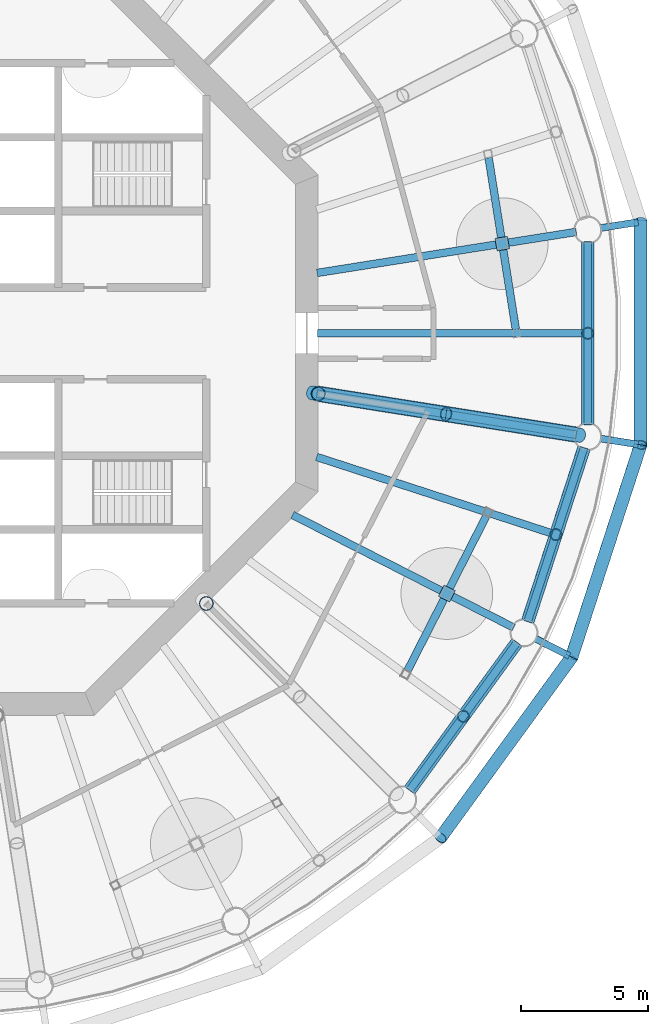
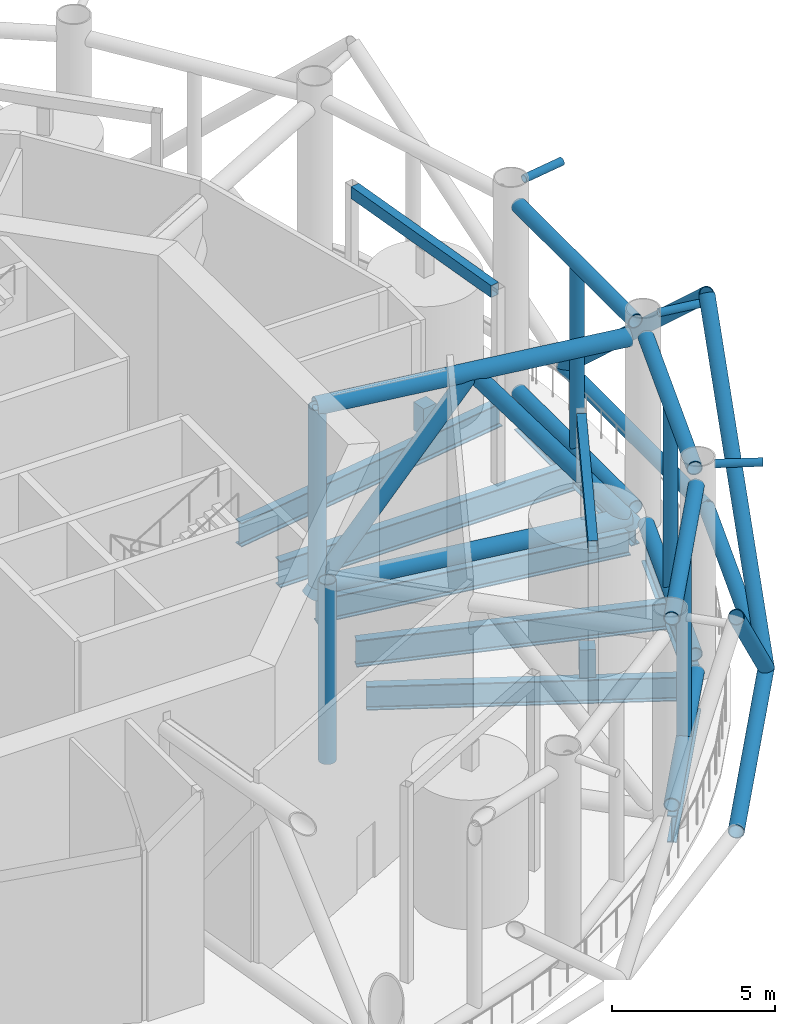
# One storey, part 8 of 22: 26 members, 10 beams.
"""IFC4 building model written with IfcOpenShell, lengths in metres."""

from ifc_helpers import new_model, si_unit, direction, frame, origin, origin_2d, place, context, subcontext, project, spatial, rectangle, hollow_rectangle, circle, hollow_circle, i_section, extrude, material, material_profile, profile_set, type_object, element, save


model = new_model("IFC4")

# Units and contexts
model_context = context("Model", 3, precision=1e-05, world=origin(), true_north=direction((0.0, 1.0)))
body_context = subcontext(model_context, "Body", "Model", "MODEL_VIEW")
ifc_project = project(units=[si_unit("LENGTHUNIT", "METRE"), si_unit("AREAUNIT", "SQUARE_METRE"), si_unit("VOLUMEUNIT", "CUBIC_METRE"), si_unit("PLANEANGLEUNIT", "RADIAN"), si_unit("MASSUNIT", "GRAM", prefix="KILO")], contexts=[model_context])

# Site, building, storey
site_placement = place(None, origin())
site = spatial("IfcSite", under=ifc_project, at=site_placement, CompositionType="ELEMENT")
building_placement = place(site_placement, origin())
building = spatial("IfcBuilding", under=site, at=building_placement, Name="Entoto Ring Tower", CompositionType="ELEMENT")
storey_placement = place(building_placement, frame((0.0, 0.0, 230.0)))
storey = spatial("IfcBuildingStorey", under=building, at=storey_placement, Name="L53", CompositionType="ELEMENT", Elevation=230.0)

# Members
ifc_material_1 = material(Name="Steel S355", Category="steel")
ifc_material_profile_1 = material_profile(ifc_material_1, hollow_circle(Radius=0.25390625, WallThickness=0.02490234375, at=origin_2d()), Name="CHS 508 x 25")
ifc_material_2 = material(Name="Concrete C60/75", Category="concrete")
ifc_material_profile_2 = material_profile(ifc_material_2, circle(Radius=0.22900390625, at=origin_2d()), Name="Concrete C60/75 infill")
ifc_profile_set_1 = profile_set([ifc_material_profile_1, ifc_material_profile_2], Name="Steel S355")
member_type_1 = type_object("IfcMemberType", Name="Diagrid diagonal 508 x 25 concrete-filled tube", PredefinedType="BRACE", material=ifc_profile_set_1)
for number, where, z_axis, x_axis, name in (
    (1, (117.6552734375, 84.380126953125, 0.0), (0.0, -0.738422225603, 0.674338651373), (1.0, 0.0, 0.0), "DG5 module 17 01"),
    (2, (114.9482421875, 67.288330078125, 0.0), (-0.434030642959, -0.597406930213, 0.674331046821), (0.809024012567, -0.587775592458, 0.0), "DG5 module 17 19"),
    (3, (114.9482421875, 67.288330078125, 0.0), (0.228181506805, 0.702283739289, 0.674337266865), (-0.95105823263, 0.309011711991, 0.0), "DG5 module 17 20"),
):
    element("IfcMember", number, at=place(storey_placement, frame(where, z_axis=z_axis, x_axis=x_axis)), inside=storey, type_object=member_type_1, Name=name, PredefinedType="BRACE", context=body_context, shape_type="SweptSolid", body=[
        extrude(hollow_circle(Radius=0.25390625, WallThickness=0.02490234375, at=origin_2d()), origin(), (0.0, 0.0, 1.0), 11.863525390625),
    ])
ifc_material_3 = material(Name="Steel S355", Category="steel")
ifc_material_profile_3 = material_profile(ifc_material_3, hollow_circle(Radius=0.136474609375, WallThickness=0.012451171875, at=origin_2d()), Name="CHS 273 x 12.5")
ifc_material_4 = material(Name="Concrete C60/75", Category="concrete")
ifc_material_profile_4 = material_profile(ifc_material_4, circle(Radius=0.1240234375, at=origin_2d()), Name="Concrete C60/75 infill")
ifc_profile_set_2 = profile_set([ifc_material_profile_3, ifc_material_profile_4], Name="Steel S355")
member_type_2 = type_object("IfcMemberType", Name="Diagrid node strut 273 x 12.5", PredefinedType="STRUT", material=ifc_profile_set_2)
member_1_placement = place(storey_placement, frame((113.533935546875, 68.0087890625, 7.71337890625), z_axis=(0.891053276869, -0.453898730756, 0.0), x_axis=(0.453898730756, 0.891053276869, 0.0)))
element("IfcMember", 4, at=member_1_placement, inside=storey, type_object=member_type_2, Name="DS2 strut ring 17 18", PredefinedType="STRUT", context=body_context, shape_type="SweptSolid", body=[
    extrude(hollow_circle(Radius=0.136474609375, WallThickness=0.012451171875, at=origin_2d()), origin(), (0.0, 0.0, 1.0), 1.4873046875),
])
for number, where, z_axis, x_axis, name in (
    (5, (116.087646484375, 75.8681640625, 7.71337890625), (0.987684301722, -0.156459963354, 0.0), (0.156459963354, 0.987684301722, 0.0), "DS2 strut ring 17 19"),
    (6, (116.087646484375, 84.1318359375, 7.71337890625), (0.987684301722, 0.156459963354, 0.0), (-0.156459963354, 0.987684301722, 0.0), "DS2 strut ring 17 20"),
):
    element("IfcMember", number, at=place(storey_placement, frame(where, z_axis=z_axis, x_axis=x_axis)), inside=storey, type_object=member_type_2, Name=name, PredefinedType="STRUT", context=body_context, shape_type="SweptSolid", body=[
        extrude(hollow_circle(Radius=0.136474609375, WallThickness=0.012451171875, at=origin_2d()), origin(), (0.0, 0.0, 1.0), 1.487060546875),
    ])
ifc_material_5 = material(Name="Steel S355", Category="steel")
ifc_material_profile_5 = material_profile(ifc_material_5, hollow_circle(Radius=0.25390625, WallThickness=0.030029296875, at=origin_2d()), Name="CHS 508 x 30")
ifc_material_6 = material(Name="Concrete C60/75", Category="concrete")
ifc_material_profile_6 = material_profile(ifc_material_6, circle(Radius=0.22412109375, at=origin_2d()), Name="Concrete C60/75 infill")
ifc_profile_set_3 = profile_set([ifc_material_profile_5, ifc_material_profile_6], Name="Steel S355")
member_type_3 = type_object("IfcMemberType", Name="Diagrid ring beam 508 x 30", PredefinedType="CHORD", material=ifc_profile_set_3)
for number, where, z_axis, x_axis, name in (
    (7, (109.763671875, 60.15234375, 0.0), (0.587790766961, 0.809012987705, 0.0), (-0.809012987705, 0.587790766961, 0.0), "DR2 ring 16 18"),
    (8, (114.9296875, 67.23095703125, 0.0), (0.309002151976, 0.951061338755, 0.0), (-0.951061338755, 0.309002151976, 0.0), "DR2 ring 16 19"),
):
    element("IfcMember", number, at=place(storey_placement, frame(where, z_axis=z_axis, x_axis=x_axis)), inside=storey, type_object=member_type_3, Name=name, PredefinedType="CHORD", context=body_context, shape_type="SweptSolid", body=[
        extrude(hollow_circle(Radius=0.25390625, WallThickness=0.030029296875, at=origin_2d()), origin(), (0.0, 0.0, 1.0), 8.880615234375),
    ])
member_2_placement = place(storey_placement, frame((117.6552734375, 75.5595703125, 0.0), z_axis=(0.0, 1.0, 0.0), x_axis=(-1.0, 0.0, 0.0)))
element("IfcMember", 9, at=member_2_placement, inside=storey, type_object=member_type_3, Name="DR2 ring 16 20", PredefinedType="CHORD", context=body_context, shape_type="SweptSolid", body=[
    extrude(hollow_circle(Radius=0.25390625, WallThickness=0.030029296875, at=origin_2d()), origin(), (0.0, 0.0, 1.0), 8.880859375),
])

# Beams
ifc_material_7 = material(Name="Steel S355", Category="steel")
ifc_material_profile_7 = material_profile(ifc_material_7, i_section(OverallWidth=0.300048828125, OverallDepth=1.0, WebThickness=0.01904296875, FlangeThickness=0.035888671875, FilletRadius=0.030029296875, at=origin_2d()), Name="HE 1000 B")
ifc_profile_set_4 = profile_set([ifc_material_profile_7], Name="Steel S355")
beam_type_1 = type_object("IfcBeamType", Name="Edge beam HE 1000 B", PredefinedType="SPANDREL", material=ifc_profile_set_4)
beam_1_placement = place(storey_placement, frame((108.58251953125, 62.0556640625, -0.64990234375), z_axis=(0.587804161843, 0.809003255445, 0.0), x_axis=(-0.809003255445, 0.587804161843, 0.0)))
element("IfcBeam", 10, at=beam_1_placement, inside=storey, type_object=beam_type_1, Name="Edge beam L53 18", PredefinedType="SPANDREL", context=body_context, shape_type="SweptSolid", body=[
    extrude(i_section(OverallWidth=0.300048828125, OverallDepth=1.0, WebThickness=0.01904296875, FlangeThickness=0.035888671875, FilletRadius=0.030029296875, at=origin_2d()), origin(), (0.0, 0.0, 1.0), 7.189697265625),
])
for number, where, z_axis, x_axis, name in (
    (11, (113.21826171875, 68.67626953125, -0.64990234375), (0.309016197858, 0.951056775099, 0.0), (-0.951056775099, 0.309016197858, 0.0), "Edge beam L53 19"),
    (12, (115.5810546875, 76.4052734375, -0.64990234375), (0.0, 1.0, 0.0), (-1.0, 0.0, 0.0), "Edge beam L53 20"),
):
    element("IfcBeam", number, at=place(storey_placement, frame(where, z_axis=z_axis, x_axis=x_axis)), inside=storey, type_object=beam_type_1, Name=name, PredefinedType="SPANDREL", context=body_context, shape_type="SweptSolid", body=[
        extrude(i_section(OverallWidth=0.300048828125, OverallDepth=1.0, WebThickness=0.01904296875, FlangeThickness=0.035888671875, FilletRadius=0.030029296875, at=origin_2d()), origin(), (0.0, 0.0, 1.0), 7.189453125),
    ])

# Members
ifc_material_8 = material(Name="Steel S355", Category="steel")
ifc_material_profile_8 = material_profile(ifc_material_8, hollow_circle(Radius=0.304931640625, WallThickness=0.030029296875, at=origin_2d()), Name="CHS 610 x 30")
ifc_material_9 = material(Name="Concrete C60/75", Category="concrete")
ifc_material_profile_9 = material_profile(ifc_material_9, circle(Radius=0.27490234375, at=origin_2d()), Name="Concrete C60/75 infill")
ifc_profile_set_5 = profile_set([ifc_material_profile_8, ifc_material_profile_9], Name="Steel S355")
member_type_4 = type_object("IfcMemberType", Name="Outrigger chord 610 x 30", PredefinedType="CHORD", material=ifc_profile_set_5)
for number, where, z_axis, x_axis, name in (
    (13, (104.9326171875, 77.635009765625, 0.304931640625), (0.987687448158, -0.156440099565, 0.0), (0.156440099565, 0.987687448158, 0.0), "OR1B L53 bottom 10"),
    (14, (104.9326171875, 77.635009765625, 7.044921875), (0.987687448158, -0.156440099565, 0.0), (0.156440099565, 0.987687448158, 0.0), "OR1B L53 top 10"),
):
    element("IfcMember", number, at=place(storey_placement, frame(where, z_axis=z_axis, x_axis=x_axis)), inside=storey, type_object=member_type_4, Name=name, PredefinedType="CHORD", context=body_context, shape_type="SweptSolid", body=[
        extrude(hollow_circle(Radius=0.304931640625, WallThickness=0.030029296875, at=origin_2d()), origin(), (0.0, 0.0, 1.0), 10.34375),
    ])
ifc_material_10 = material(Name="Steel S355", Category="steel")
ifc_material_profile_10 = material_profile(ifc_material_10, hollow_circle(Radius=0.279541015625, WallThickness=0.031982421875, at=origin_2d()), Name="CHS 559 x 32")
ifc_material_11 = material(Name="Concrete C60/75", Category="concrete")
ifc_material_profile_11 = material_profile(ifc_material_11, circle(Radius=0.24755859375, at=origin_2d()), Name="Concrete C60/75 infill")
ifc_profile_set_6 = profile_set([ifc_material_profile_10, ifc_material_profile_11], Name="Steel S355")
member_type_5 = type_object("IfcMemberType", Name="Outrigger diagonal 559 x 32", PredefinedType="BRACE", material=ifc_profile_set_6)
member_3_placement = place(storey_placement, frame((104.763916015625, 77.66162109375, -0.01220703125), z_axis=(0.594598798703, -0.094168980477, 0.79848886761), x_axis=(0.156424389909, 0.987689936286, 0.0)))
element("IfcMember", 15, at=member_3_placement, inside=storey, type_object=member_type_5, Name="OR2 L53 10 1", PredefinedType="BRACE", context=body_context, shape_type="SweptSolid", body=[
    extrude(hollow_circle(Radius=0.279541015625, WallThickness=0.031982421875, at=origin_2d()), origin(), (0.0, 0.0, 1.0), 8.838134765625),
])
member_4_placement = place(storey_placement, frame((110.01904296875, 76.829345703125, 7.044921875), z_axis=(0.594591587458, -0.094182599771, -0.798492631165), x_axis=(0.156448310241, 0.987686147631, 0.0)))
element("IfcMember", 16, at=member_4_placement, inside=storey, type_object=member_type_5, Name="OR2 L53 10 2", PredefinedType="BRACE", context=body_context, shape_type="SweptSolid", body=[
    extrude(hollow_circle(Radius=0.279541015625, WallThickness=0.031982421875, at=origin_2d()), origin(), (0.0, 0.0, 1.0), 8.83154296875),
])
ifc_material_12 = material(Name="Steel S355", Category="steel")
ifc_material_profile_12 = material_profile(ifc_material_12, hollow_circle(Radius=0.279541015625, WallThickness=0.031982421875, at=origin_2d()), Name="CHS 559 x 32")
ifc_material_13 = material(Name="Concrete C60/75", Category="concrete")
ifc_material_profile_13 = material_profile(ifc_material_13, circle(Radius=0.24755859375, at=origin_2d()), Name="Concrete C60/75 infill")
ifc_profile_set_7 = profile_set([ifc_material_profile_12, ifc_material_profile_13], Name="Steel S355")
member_type_6 = type_object("IfcMemberType", Name="Outrigger post 559 x 32", PredefinedType="POST", material=ifc_profile_set_7)
for number, where, z_axis, x_axis, name in (
    (17, (100.606689453125, 69.393310546875, 0.304931640625), (0.0, 0.0, 1.0), (1.0, 0.0, 0.0), "OR3A L53 09"),
    (18, (105.0, 77.624267578125, 0.304931640625), (0.0, 0.0, 1.0), (1.0, 0.0, 0.0), "OR3A L53 10"),
):
    element("IfcMember", number, at=place(storey_placement, frame(where, z_axis=z_axis, x_axis=x_axis)), inside=storey, type_object=member_type_6, Name=name, PredefinedType="POST", context=body_context, shape_type="SweptSolid", body=[
        extrude(hollow_circle(Radius=0.279541015625, WallThickness=0.031982421875, at=origin_2d()), origin(), (0.0, 0.0, 1.0), 6.739990234375),
    ])

# Beams
ifc_material_14 = material(Name="Steel S355", Category="steel")
ifc_material_profile_14 = material_profile(ifc_material_14, i_section(OverallWidth=0.300048828125, OverallDepth=0.89990234375, WebThickness=0.0185546875, FlangeThickness=0.034912109375, FilletRadius=0.030029296875, at=origin_2d()), Name="HE 900 B")
ifc_profile_set_8 = profile_set([ifc_material_profile_14], Name="Steel S355")
beam_type_2 = type_object("IfcBeamType", Name="Primary floor beam HE 900 B", PredefinedType="BEAM", material=ifc_profile_set_8)
beam_2_placement = place(storey_placement, frame((104.956787109375, 82.368896484375, -0.60009765625), z_axis=(0.987687319674, 0.156440910745, 0.0), x_axis=(-0.156440910745, 0.987687319674, 0.0)))
element("IfcBeam", 19, at=beam_2_placement, inside=storey, type_object=beam_type_2, Name="Primary L53 R01", PredefinedType="BEAM", context=body_context, shape_type="SweptSolid", body=[
    extrude(i_section(OverallWidth=0.300048828125, OverallDepth=0.89990234375, WebThickness=0.0185546875, FlangeThickness=0.034912109375, FilletRadius=0.030029296875, at=origin_2d()), origin(), (0.0, 0.0, 1.0), 10.2998046875),
])
beam_3_placement = place(storey_placement, frame((103.99169921875, 72.870849609375, -0.60009765625), z_axis=(0.891002383468, -0.453998626269, 0.0), x_axis=(0.453998626269, 0.891002383468, 0.0)))
element("IfcBeam", 20, at=beam_3_placement, inside=storey, type_object=beam_type_2, Name="Primary L53 R19", PredefinedType="BEAM", context=body_context, shape_type="SweptSolid", body=[
    extrude(i_section(OverallWidth=0.300048828125, OverallDepth=0.89990234375, WebThickness=0.0185546875, FlangeThickness=0.034912109375, FilletRadius=0.030029296875, at=origin_2d()), origin(), (0.0, 0.0, 1.0), 9.73974609375),
])
beam_4_placement = place(storey_placement, frame((104.956787109375, 77.631103515625, -0.60009765625), z_axis=(0.987687319674, -0.156440910745, 0.0), x_axis=(0.156440910745, 0.987687319674, 0.0)))
element("IfcBeam", 21, at=beam_4_placement, inside=storey, type_object=beam_type_2, Name="Primary L53 R20", PredefinedType="BEAM", context=body_context, shape_type="SweptSolid", body=[
    extrude(i_section(OverallWidth=0.300048828125, OverallDepth=0.89990234375, WebThickness=0.0185546875, FlangeThickness=0.034912109375, FilletRadius=0.030029296875, at=origin_2d()), origin(), (0.0, 0.0, 1.0), 10.2998046875),
])

# Members
ifc_material_15 = material(Name="Steel S355", Category="steel")
ifc_material_profile_15 = material_profile(ifc_material_15, hollow_circle(Radius=0.25390625, WallThickness=0.030029296875, at=origin_2d()), Name="CHS 508 x 30")
ifc_material_16 = material(Name="Concrete C60/75", Category="concrete")
ifc_material_profile_16 = material_profile(ifc_material_16, circle(Radius=0.22412109375, at=origin_2d()), Name="Concrete C60/75 infill")
ifc_profile_set_9 = profile_set([ifc_material_profile_15, ifc_material_profile_16], Name="Steel S355")
member_type_7 = type_object("IfcMemberType", Name="Ring truss chord 508 x 30", PredefinedType="CHORD", material=ifc_profile_set_9)
for number, where, z_axis, x_axis, name in (
    (22, (108.589111328125, 62.064453125, 0.25390625), (0.587788860985, 0.809014372494, 0.0), (-0.809014372494, 0.587788860985, 0.0), "BT1 L53 bottom 18"),
    (23, (108.589111328125, 62.064453125, 7.236083984375), (0.587788860985, 0.809014372494, 0.0), (-0.809014372494, 0.587788860985, 0.0), "BT1 L53 top 18"),
    (24, (113.2216796875, 68.6865234375, 0.25390625), (0.30900443182, 0.951060598025, 0.0), (-0.951060598025, 0.30900443182, 0.0), "BT1 L53 bottom 19"),
    (25, (113.2216796875, 68.6865234375, 7.236083984375), (0.30900443182, 0.951060598025, 0.0), (-0.951060598025, 0.30900443182, 0.0), "BT1 L53 top 19"),
):
    element("IfcMember", number, at=place(storey_placement, frame(where, z_axis=z_axis, x_axis=x_axis)), inside=storey, type_object=member_type_7, Name=name, PredefinedType="CHORD", context=body_context, shape_type="SweptSolid", body=[
        extrude(hollow_circle(Radius=0.25390625, WallThickness=0.030029296875, at=origin_2d()), origin(), (0.0, 0.0, 1.0), 7.167724609375),
    ])
for number, where, z_axis, x_axis, name in (
    (26, (115.5810546875, 76.416015625, 0.25390625), (0.0, 1.0, 0.0), (-1.0, 0.0, 0.0), "BT1 L53 bottom 20"),
    (27, (115.5810546875, 76.416015625, 7.236083984375), (0.0, 1.0, 0.0), (-1.0, 0.0, 0.0), "BT1 L53 top 20"),
):
    element("IfcMember", number, at=place(storey_placement, frame(where, z_axis=z_axis, x_axis=x_axis)), inside=storey, type_object=member_type_7, Name=name, PredefinedType="CHORD", context=body_context, shape_type="SweptSolid", body=[
        extrude(hollow_circle(Radius=0.25390625, WallThickness=0.030029296875, at=origin_2d()), origin(), (0.0, 0.0, 1.0), 7.16796875),
    ])
ifc_material_17 = material(Name="Steel S355", Category="steel")
ifc_material_profile_17 = material_profile(ifc_material_17, hollow_circle(Radius=0.228515625, WallThickness=0.02001953125, at=origin_2d()), Name="CHS 457 x 20")
ifc_material_18 = material(Name="Concrete C60/75", Category="concrete")
ifc_material_profile_18 = material_profile(ifc_material_18, circle(Radius=0.20849609375, at=origin_2d()), Name="Concrete C60/75 infill")
ifc_profile_set_10 = profile_set([ifc_material_profile_17, ifc_material_profile_18], Name="Steel S355")
member_type_8 = type_object("IfcMemberType", Name="Ring truss post 457 x 20", PredefinedType="POST", material=ifc_profile_set_10)
for number, where, z_axis, x_axis, name in (
    (28, (110.695556640625, 64.9638671875, 0.25390625), (0.0, 0.0, 1.0), (1.0, 0.0, 0.0), "BT3 L53 18"),
    (29, (114.3291015625, 72.094970703125, 0.25390625), (0.0, 0.0, 1.0), (1.0, 0.0, 0.0), "BT3 L53 19"),
    (30, (115.5810546875, 80.0, 0.25390625), (0.0, 0.0, 1.0), (1.0, 0.0, 0.0), "BT3 L53 20"),
):
    element("IfcMember", number, at=place(storey_placement, frame(where, z_axis=z_axis, x_axis=x_axis)), inside=storey, type_object=member_type_8, Name=name, PredefinedType="POST", context=body_context, shape_type="SweptSolid", body=[
        extrude(hollow_circle(Radius=0.228515625, WallThickness=0.02001953125, at=origin_2d()), origin(), (0.0, 0.0, 1.0), 6.982177734375),
    ])

# Beams
ifc_material_19 = material(Name="Steel S355", Category="steel")
ifc_material_profile_19 = material_profile(ifc_material_19, i_section(OverallWidth=0.300048828125, OverallDepth=1.0, WebThickness=0.01904296875, FlangeThickness=0.035888671875, FilletRadius=0.030029296875, at=origin_2d()), Name="HE 1000 B")
ifc_profile_set_11 = profile_set([ifc_material_profile_19], Name="Steel S355")
beam_type_3 = type_object("IfcBeamType", Name="Secondary floor beam HE 1000 B", PredefinedType="JOIST", material=ifc_profile_set_11)
beam_5_placement = place(storey_placement, frame((104.9345703125, 75.1474609375, -0.64990234375), z_axis=(0.951057672858, -0.309013434819, 0.0), x_axis=(0.309013434819, 0.951057672858, 0.0)))
element("IfcBeam", 31, at=beam_5_placement, inside=storey, type_object=beam_type_3, Name="Secondary beam L53 19", PredefinedType="JOIST", context=body_context, shape_type="SweptSolid", body=[
    extrude(i_section(OverallWidth=0.300048828125, OverallDepth=1.0, WebThickness=0.01904296875, FlangeThickness=0.035888671875, FilletRadius=0.030029296875, at=origin_2d()), origin(), (0.0, 0.0, 1.0), 9.72802734375),
])
beam_6_placement = place(storey_placement, frame((104.97998046875, 80.0, -0.64990234375), z_axis=(1.0, 0.0, 0.0), x_axis=(0.0, 1.0, 0.0)))
element("IfcBeam", 32, at=beam_6_placement, inside=storey, type_object=beam_type_3, Name="Secondary beam L53 20", PredefinedType="JOIST", context=body_context, shape_type="SweptSolid", body=[
    extrude(i_section(OverallWidth=0.300048828125, OverallDepth=1.0, WebThickness=0.01904296875, FlangeThickness=0.035888671875, FilletRadius=0.030029296875, at=origin_2d()), origin(), (0.0, 0.0, 1.0), 10.451171875),
])

# Members
ifc_material_20 = material(Name="Steel S355", Category="steel")
ifc_material_profile_20 = material_profile(ifc_material_20, rectangle(XDim=0.5, YDim=0.5, at=origin_2d()), Name="Turbine base 500 x 500 mm steel pedestal")
ifc_profile_set_12 = profile_set([ifc_material_profile_20], Name="Steel S355")
member_type_9 = type_object("IfcMemberType", Name="Turbine base 500 x 500 mm steel pedestal", PredefinedType="POST", material=ifc_profile_set_12)
for number, where, z_axis, x_axis, name in (
    (33, (112.222900390625, 83.519775390625, 0.0), (0.0, 0.0, 1.0), (-0.15643446504, 0.987688340595, 0.0), "TURBINE BASE 1"),
    (34, (110.047607421875, 69.78515625, 0.0), (0.0, 0.0, 1.0), (0.45399049974, 0.891006524188, 0.0), "TURBINE BASE 8"),
):
    element("IfcMember", number, at=place(storey_placement, frame(where, z_axis=z_axis, x_axis=x_axis)), inside=storey, type_object=member_type_9, Name=name, PredefinedType="POST", context=body_context, shape_type="SweptSolid", body=[
        extrude(rectangle(XDim=0.5, YDim=0.5, at=origin_2d()), origin(), (0.0, 0.0, 1.0), 1.050048828125),
    ])

# Beams
ifc_material_21 = material(Name="Steel S355", Category="steel")
ifc_material_profile_21 = material_profile(ifc_material_21, hollow_rectangle(XDim=0.300048828125, YDim=0.449951171875, WallThickness=0.013916015625, at=origin_2d()), Name="Turbine frame beam 300 x 450 x 14 mm")
ifc_profile_set_13 = profile_set([ifc_material_profile_21], Name="Steel S355")
beam_type_4 = type_object("IfcBeamType", Name="Turbine frame beam 300 x 450 x 14 mm", PredefinedType="BEAM", material=ifc_profile_set_13)
beam_7_placement = place(storey_placement, frame((112.757080078125, 80.148193359375, 7.125), z_axis=(-0.156449177935, 0.987686010189, 0.0), x_axis=(-0.987686010189, -0.156449177935, 0.0)))
element("IfcBeam", 35, at=beam_7_placement, inside=storey, type_object=beam_type_4, Name="TURBINE FRAME BEAM 1", PredefinedType="BEAM", context=body_context, shape_type="SweptSolid", body=[
    extrude(hollow_rectangle(XDim=0.300048828125, YDim=0.449951171875, WallThickness=0.013916015625, at=origin_2d()), origin(), (0.0, 0.0, 1.0), 6.8271484375),
])
beam_8_placement = place(storey_placement, frame((108.497802734375, 66.74365234375, 7.125), z_axis=(0.453994882241, 0.891004291179, 0.0), x_axis=(-0.891004291179, 0.453994882241, 0.0)))
element("IfcBeam", 36, at=beam_8_placement, inside=storey, type_object=beam_type_4, Name="TURBINE FRAME BEAM 8", PredefinedType="BEAM", context=body_context, shape_type="SweptSolid", body=[
    extrude(hollow_rectangle(XDim=0.300048828125, YDim=0.449951171875, WallThickness=0.013916015625, at=origin_2d()), origin(), (0.0, 0.0, 1.0), 6.827392578125),
])

save(model, "model.ifc")
